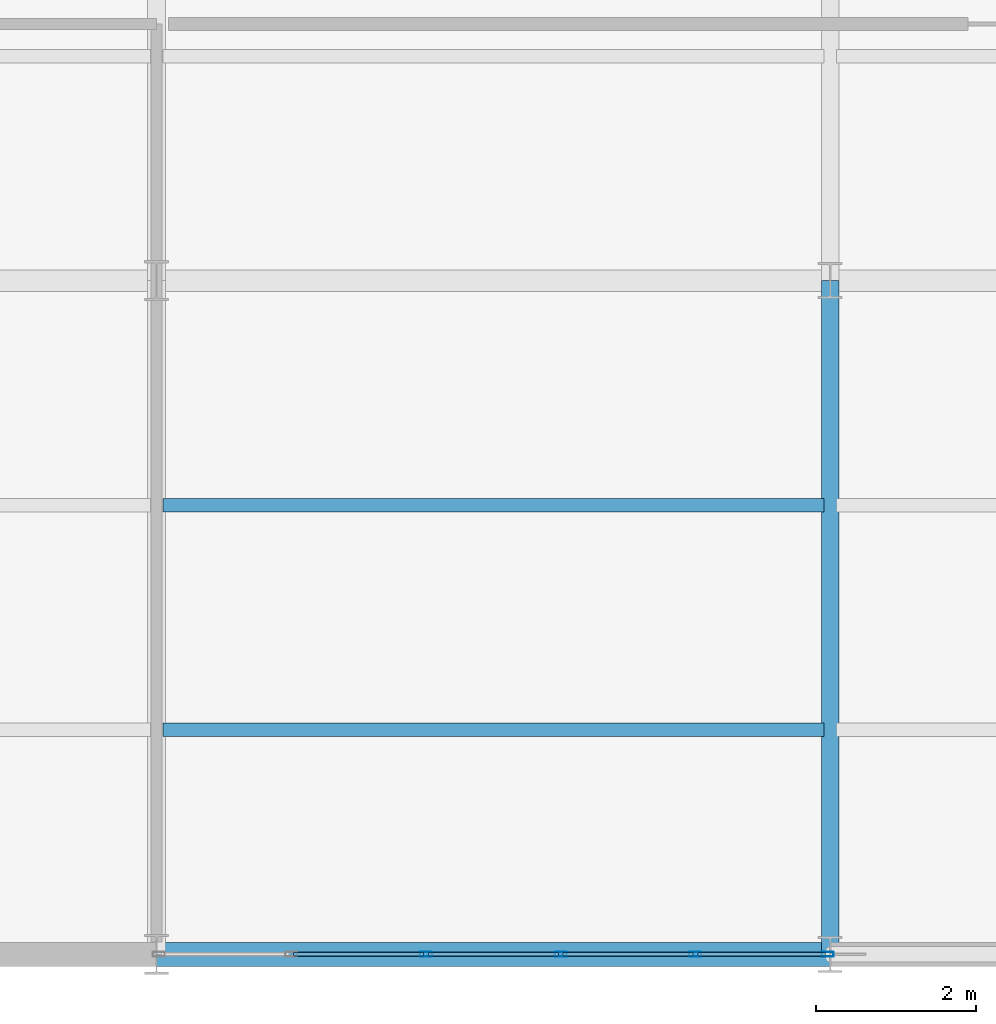
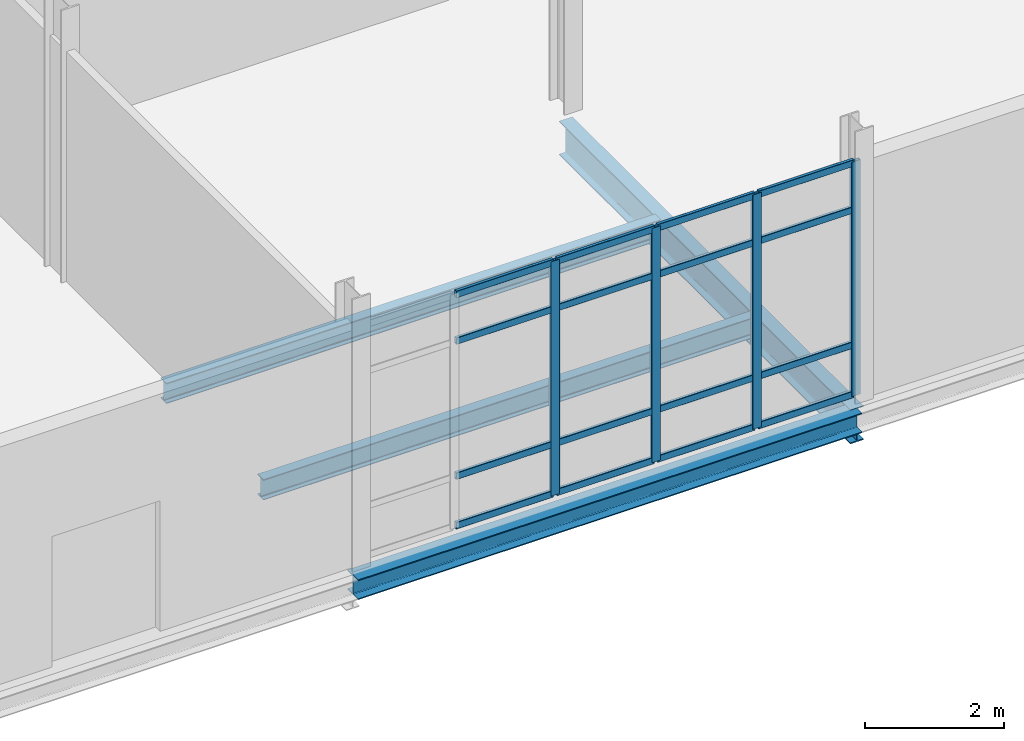
# One storey, part 94 of 145: 20 members, 4 beams, 1 element without a shape of its own.
"""IFC4 building model written with IfcOpenShell, lengths in metres."""

from ifc_helpers import new_model, si_unit, direction, frame, origin, origin_2d, place, context, subcontext, project, spatial, hollow_rectangle, i_section, extrude, material, layer, layer_set, material_profile, profile_set, type_object, element, aggregate, save


model = new_model("IFC4")

# Units and contexts
model_context = context("Model", 3, precision=1e-05, world=origin(), true_north=direction((0.0, 1.0)))
body_context = subcontext(model_context, "Body", "Model", "MODEL_VIEW")
ifc_project = project(units=[si_unit("LENGTHUNIT", "METRE"), si_unit("AREAUNIT", "SQUARE_METRE"), si_unit("VOLUMEUNIT", "CUBIC_METRE"), si_unit("PLANEANGLEUNIT", "RADIAN"), si_unit("MASSUNIT", "GRAM", prefix="KILO")], contexts=[model_context])

# Site, building, storey
site_placement = place(None, origin())
site = spatial("IfcSite", under=ifc_project, at=site_placement, CompositionType="ELEMENT")
building_placement = place(site_placement, origin())
building = spatial("IfcBuilding", under=site, at=building_placement, Name="Qalvenar Corner Mobility Hub", CompositionType="ELEMENT")
storey_placement = place(building_placement, origin())
storey = spatial("IfcBuildingStorey", under=building, at=storey_placement, Name="L00", CompositionType="ELEMENT", Elevation=0.0)

# Beams
ifc_material_1 = material(Name="Steel S355", Category="steel")
ifc_material_profile_1 = material_profile(ifc_material_1, i_section(OverallWidth=0.219970703125, OverallDepth=0.60009765625, WebThickness=0.011962890625, FlangeThickness=0.01904296875, FilletRadius=0.02392578125, at=origin_2d()), Name="IPE600")
ifc_profile_set_1 = profile_set([ifc_material_profile_1], Name="Steel S355")
beam_type_1 = type_object("IfcBeamType", Name="BM-IPE600", PredefinedType="BEAM", material=ifc_profile_set_1)
beam_1_placement = place(storey_placement, frame((142.800048828125, 0.0, -0.550048828125), z_axis=(0.0, 1.0, 0.0), x_axis=(-1.0, 0.0, 0.0)))
element("IfcBeam", 1, at=beam_1_placement, inside=storey, type_object=beam_type_1, Name="Primary Steel Girder GY-0317", PredefinedType="BEAM", context=body_context, shape_type="SweptSolid", body=[
    extrude(i_section(OverallWidth=0.219970703125, OverallDepth=0.60009765625, WebThickness=0.011962890625, FlangeThickness=0.01904296875, FilletRadius=0.02392578125, at=origin_2d()), origin(), (0.0, 0.0, 1.0), 8.39990234375),
])
ifc_material_profile_2 = material_profile(ifc_material_1, i_section(OverallWidth=0.169921875, OverallDepth=0.360107421875, WebThickness=0.008056640625, FlangeThickness=0.0126953125, FilletRadius=0.01806640625, at=origin_2d()), Name="IPE360")
ifc_profile_set_2 = profile_set([ifc_material_profile_2], Name="Steel S355")
beam_type_2 = type_object("IfcBeamType", Name="BM-JST360", PredefinedType="JOIST", material=ifc_profile_set_2)
for number, where, z_axis, x_axis, name in (
    (2, (134.47802734375, 2.800048828125, -0.429931640625), (1.0, 0.0, 0.0), (0.0, 1.0, 0.0), "Composite Floor Joist J-0375"),
    (3, (134.47802734375, 5.60009765625, -0.429931640625), (1.0, 0.0, 0.0), (0.0, 1.0, 0.0), "Composite Floor Joist J-0376"),
):
    element("IfcBeam", number, at=place(storey_placement, frame(where, z_axis=z_axis, x_axis=x_axis)), inside=storey, type_object=beam_type_2, Name=name, PredefinedType="JOIST", context=body_context, shape_type="SweptSolid", body=[
        extrude(i_section(OverallWidth=0.169921875, OverallDepth=0.360107421875, WebThickness=0.008056640625, FlangeThickness=0.0126953125, FilletRadius=0.01806640625, at=origin_2d()), origin(), (0.0, 0.0, 1.0), 8.243896484375),
    ])
ifc_material_profile_3 = material_profile(ifc_material_1, i_section(OverallWidth=0.300048828125, OverallDepth=0.35009765625, WebThickness=0.010009765625, FlangeThickness=0.017578125, FilletRadius=0.027099609375, at=origin_2d()), Name="HEA360")
ifc_profile_set_3 = profile_set([ifc_material_profile_3], Name="Steel S355")
beam_type_3 = type_object("IfcBeamType", Name="BM-SPN360", PredefinedType="SPANDREL", material=ifc_profile_set_3)
beam_2_placement = place(storey_placement, frame((134.39990234375, 0.0, -0.425048828125), z_axis=(1.0, 0.0, 0.0), x_axis=(0.0, 1.0, 0.0)))
element("IfcBeam", 4, at=beam_2_placement, inside=storey, type_object=beam_type_3, Name="Primary Steel Girder GX-0251", PredefinedType="SPANDREL", context=body_context, shape_type="SweptSolid", body=[
    extrude(i_section(OverallWidth=0.300048828125, OverallDepth=0.35009765625, WebThickness=0.010009765625, FlangeThickness=0.017578125, FilletRadius=0.027099609375, at=origin_2d()), origin(), (0.0, 0.0, 1.0), 8.400146484375),
])

# Curtain wall, members
ifc_material_2 = material(Name="Anodised Aluminium and Low-E Glazing", Category="aluminium")
ifc_layer = layer(ifc_material_2, 0.14990234375)
ifc_layer_set = layer_set([ifc_layer], Name="Anodised Aluminium and Low-E Glazing")
curtain_wall_type = type_object("IfcCurtainWallType", Name="CW-WKS-84X44", PredefinedType="NOTDEFINED", material=ifc_layer_set)
curtain_wall_placement = place(storey_placement, origin())
curtain_wall = element("IfcCurtainWall", 5, at=curtain_wall_placement, inside=storey, type_object=curtain_wall_type, Name="Glazed Curtain Wall CW-V6-L00-S3", PredefinedType="NOTDEFINED")
ifc_material_3 = material(Name="Anodised Aluminium 6063-T6", Category="aluminium")
ifc_material_profile_4 = material_profile(ifc_material_3, hollow_rectangle(XDim=0.06005859375, YDim=0.14990234375, WallThickness=0.00390625, InnerFilletRadius=0.00390625, OuterFilletRadius=0.008056640625, at=origin_2d()), Name="RHS150x60x4")
ifc_profile_set_4 = profile_set([ifc_material_profile_4], Name="Anodised Aluminium 6063-T6")
member_type_1 = type_object("IfcMemberType", Name="CW-MUL150", PredefinedType="MULLION", material=ifc_profile_set_4)
member_1_placement = place(storey_placement, frame((137.760009765625, 0.0, 0.0), z_axis=(0.0, 0.0, 1.0), x_axis=(0.0, 1.0, 0.0)))
member_1 = element("IfcMember", 6, at=member_1_placement, type_object=member_type_1, Name="CW-09 mullion 3", PredefinedType="MULLION", context=body_context, shape_type="SweptSolid", body=[
    extrude(hollow_rectangle(XDim=0.06005859375, YDim=0.14990234375, WallThickness=0.00390625, InnerFilletRadius=0.00390625, OuterFilletRadius=0.008056640625, at=origin_2d()), origin(), (0.0, 0.0, 1.0), 4.1298828125),
])
member_2_placement = place(storey_placement, frame((139.43994140625, 0.0, 0.0), z_axis=(0.0, 0.0, 1.0), x_axis=(0.0, 1.0, 0.0)))
member_2 = element("IfcMember", 7, at=member_2_placement, type_object=member_type_1, Name="CW-09 mullion 4", PredefinedType="MULLION", context=body_context, shape_type="SweptSolid", body=[
    extrude(hollow_rectangle(XDim=0.06005859375, YDim=0.14990234375, WallThickness=0.00390625, InnerFilletRadius=0.00390625, OuterFilletRadius=0.008056640625, at=origin_2d()), origin(), (0.0, 0.0, 1.0), 4.1298828125),
])
member_3_placement = place(storey_placement, frame((141.1201171875, 0.0, 0.0), z_axis=(0.0, 0.0, 1.0), x_axis=(0.0, 1.0, 0.0)))
member_3 = element("IfcMember", 8, at=member_3_placement, type_object=member_type_1, Name="CW-09 mullion 5", PredefinedType="MULLION", context=body_context, shape_type="SweptSolid", body=[
    extrude(hollow_rectangle(XDim=0.06005859375, YDim=0.14990234375, WallThickness=0.00390625, InnerFilletRadius=0.00390625, OuterFilletRadius=0.008056640625, at=origin_2d()), origin(), (0.0, 0.0, 1.0), 4.1298828125),
])
member_4_placement = place(storey_placement, frame((142.77001953125, 0.0, 0.0), z_axis=(0.0, 0.0, 1.0), x_axis=(0.0, 1.0, 0.0)))
member_4 = element("IfcMember", 9, at=member_4_placement, type_object=member_type_1, Name="CW-09 mullion 6", PredefinedType="MULLION", context=body_context, shape_type="SweptSolid", body=[
    extrude(hollow_rectangle(XDim=0.06005859375, YDim=0.14990234375, WallThickness=0.00390625, InnerFilletRadius=0.00390625, OuterFilletRadius=0.008056640625, at=origin_2d()), origin(), (0.0, 0.0, 1.0), 4.1298828125),
])
ifc_material_profile_5 = material_profile(ifc_material_3, hollow_rectangle(XDim=0.054931640625, YDim=0.1201171875, WallThickness=0.00341796875, InnerFilletRadius=0.00341796875, OuterFilletRadius=0.007080078125, at=origin_2d()), Name="RHS120x55x3.5")
ifc_profile_set_5 = profile_set([ifc_material_profile_5], Name="Anodised Aluminium 6063-T6")
member_type_2 = type_object("IfcMemberType", Name="CW-TRN120", PredefinedType="USERDEFINED", material=ifc_profile_set_5)
member_5_placement = place(storey_placement, frame((136.110107421875, 0.0, 0.027587890625), z_axis=(1.0, 0.0, 0.0), x_axis=(0.0, 1.0, 0.0)))
member_5 = element("IfcMember", 10, at=member_5_placement, type_object=member_type_2, Name="CW-09 transom 2.1", ObjectType="TRANSOM", PredefinedType="USERDEFINED", context=body_context, shape_type="SweptSolid", body=[
    extrude(hollow_rectangle(XDim=0.054931640625, YDim=0.1201171875, WallThickness=0.00341796875, InnerFilletRadius=0.00341796875, OuterFilletRadius=0.007080078125, at=origin_2d()), origin(), (0.0, 0.0, 1.0), 1.619873046875),
])
member_6_placement = place(storey_placement, frame((136.110107421875, 0.0, 0.89990234375), z_axis=(1.0, 0.0, 0.0), x_axis=(0.0, 1.0, 0.0)))
member_6 = element("IfcMember", 11, at=member_6_placement, type_object=member_type_2, Name="CW-09 transom 2.2", ObjectType="TRANSOM", PredefinedType="USERDEFINED", context=body_context, shape_type="SweptSolid", body=[
    extrude(hollow_rectangle(XDim=0.054931640625, YDim=0.1201171875, WallThickness=0.00341796875, InnerFilletRadius=0.00341796875, OuterFilletRadius=0.007080078125, at=origin_2d()), origin(), (0.0, 0.0, 1.0), 1.619873046875),
])
member_7_placement = place(storey_placement, frame((136.110107421875, 0.0, 3.280029296875), z_axis=(1.0, 0.0, 0.0), x_axis=(0.0, 1.0, 0.0)))
member_7 = element("IfcMember", 12, at=member_7_placement, type_object=member_type_2, Name="CW-09 transom 2.3", ObjectType="TRANSOM", PredefinedType="USERDEFINED", context=body_context, shape_type="SweptSolid", body=[
    extrude(hollow_rectangle(XDim=0.054931640625, YDim=0.1201171875, WallThickness=0.00341796875, InnerFilletRadius=0.00341796875, OuterFilletRadius=0.007080078125, at=origin_2d()), origin(), (0.0, 0.0, 1.0), 1.619873046875),
])
member_8_placement = place(storey_placement, frame((136.110107421875, 0.0, 4.1025390625), z_axis=(1.0, 0.0, 0.0), x_axis=(0.0, 1.0, 0.0)))
member_8 = element("IfcMember", 13, at=member_8_placement, type_object=member_type_2, Name="CW-09 transom 2.4", ObjectType="TRANSOM", PredefinedType="USERDEFINED", context=body_context, shape_type="SweptSolid", body=[
    extrude(hollow_rectangle(XDim=0.054931640625, YDim=0.1201171875, WallThickness=0.00341796875, InnerFilletRadius=0.00341796875, OuterFilletRadius=0.007080078125, at=origin_2d()), origin(), (0.0, 0.0, 1.0), 1.619873046875),
])
member_9_placement = place(storey_placement, frame((137.7900390625, 0.0, 0.027587890625), z_axis=(1.0, 0.0, 0.0), x_axis=(0.0, 1.0, 0.0)))
member_9 = element("IfcMember", 14, at=member_9_placement, type_object=member_type_2, Name="CW-09 transom 3.1", ObjectType="TRANSOM", PredefinedType="USERDEFINED", context=body_context, shape_type="SweptSolid", body=[
    extrude(hollow_rectangle(XDim=0.054931640625, YDim=0.1201171875, WallThickness=0.00341796875, InnerFilletRadius=0.00341796875, OuterFilletRadius=0.007080078125, at=origin_2d()), origin(), (0.0, 0.0, 1.0), 1.619873046875),
])
member_10_placement = place(storey_placement, frame((137.7900390625, 0.0, 0.89990234375), z_axis=(1.0, 0.0, 0.0), x_axis=(0.0, 1.0, 0.0)))
member_10 = element("IfcMember", 15, at=member_10_placement, type_object=member_type_2, Name="CW-09 transom 3.2", ObjectType="TRANSOM", PredefinedType="USERDEFINED", context=body_context, shape_type="SweptSolid", body=[
    extrude(hollow_rectangle(XDim=0.054931640625, YDim=0.1201171875, WallThickness=0.00341796875, InnerFilletRadius=0.00341796875, OuterFilletRadius=0.007080078125, at=origin_2d()), origin(), (0.0, 0.0, 1.0), 1.619873046875),
])
member_11_placement = place(storey_placement, frame((137.7900390625, 0.0, 3.280029296875), z_axis=(1.0, 0.0, 0.0), x_axis=(0.0, 1.0, 0.0)))
member_11 = element("IfcMember", 16, at=member_11_placement, type_object=member_type_2, Name="CW-09 transom 3.3", ObjectType="TRANSOM", PredefinedType="USERDEFINED", context=body_context, shape_type="SweptSolid", body=[
    extrude(hollow_rectangle(XDim=0.054931640625, YDim=0.1201171875, WallThickness=0.00341796875, InnerFilletRadius=0.00341796875, OuterFilletRadius=0.007080078125, at=origin_2d()), origin(), (0.0, 0.0, 1.0), 1.619873046875),
])
member_12_placement = place(storey_placement, frame((137.7900390625, 0.0, 4.1025390625), z_axis=(1.0, 0.0, 0.0), x_axis=(0.0, 1.0, 0.0)))
member_12 = element("IfcMember", 17, at=member_12_placement, type_object=member_type_2, Name="CW-09 transom 3.4", ObjectType="TRANSOM", PredefinedType="USERDEFINED", context=body_context, shape_type="SweptSolid", body=[
    extrude(hollow_rectangle(XDim=0.054931640625, YDim=0.1201171875, WallThickness=0.00341796875, InnerFilletRadius=0.00341796875, OuterFilletRadius=0.007080078125, at=origin_2d()), origin(), (0.0, 0.0, 1.0), 1.619873046875),
])
member_13_placement = place(storey_placement, frame((139.469970703125, 0.0, 0.027587890625), z_axis=(1.0, 0.0, 0.0), x_axis=(0.0, 1.0, 0.0)))
member_13 = element("IfcMember", 18, at=member_13_placement, type_object=member_type_2, Name="CW-09 transom 4.1", ObjectType="TRANSOM", PredefinedType="USERDEFINED", context=body_context, shape_type="SweptSolid", body=[
    extrude(hollow_rectangle(XDim=0.054931640625, YDim=0.1201171875, WallThickness=0.00341796875, InnerFilletRadius=0.00341796875, OuterFilletRadius=0.007080078125, at=origin_2d()), origin(), (0.0, 0.0, 1.0), 1.6201171875),
])
member_14_placement = place(storey_placement, frame((139.469970703125, 0.0, 0.89990234375), z_axis=(1.0, 0.0, 0.0), x_axis=(0.0, 1.0, 0.0)))
member_14 = element("IfcMember", 19, at=member_14_placement, type_object=member_type_2, Name="CW-09 transom 4.2", ObjectType="TRANSOM", PredefinedType="USERDEFINED", context=body_context, shape_type="SweptSolid", body=[
    extrude(hollow_rectangle(XDim=0.054931640625, YDim=0.1201171875, WallThickness=0.00341796875, InnerFilletRadius=0.00341796875, OuterFilletRadius=0.007080078125, at=origin_2d()), origin(), (0.0, 0.0, 1.0), 1.6201171875),
])
member_15_placement = place(storey_placement, frame((139.469970703125, 0.0, 3.280029296875), z_axis=(1.0, 0.0, 0.0), x_axis=(0.0, 1.0, 0.0)))
member_15 = element("IfcMember", 20, at=member_15_placement, type_object=member_type_2, Name="CW-09 transom 4.3", ObjectType="TRANSOM", PredefinedType="USERDEFINED", context=body_context, shape_type="SweptSolid", body=[
    extrude(hollow_rectangle(XDim=0.054931640625, YDim=0.1201171875, WallThickness=0.00341796875, InnerFilletRadius=0.00341796875, OuterFilletRadius=0.007080078125, at=origin_2d()), origin(), (0.0, 0.0, 1.0), 1.6201171875),
])
member_16_placement = place(storey_placement, frame((139.469970703125, 0.0, 4.1025390625), z_axis=(1.0, 0.0, 0.0), x_axis=(0.0, 1.0, 0.0)))
member_16 = element("IfcMember", 21, at=member_16_placement, type_object=member_type_2, Name="CW-09 transom 4.4", ObjectType="TRANSOM", PredefinedType="USERDEFINED", context=body_context, shape_type="SweptSolid", body=[
    extrude(hollow_rectangle(XDim=0.054931640625, YDim=0.1201171875, WallThickness=0.00341796875, InnerFilletRadius=0.00341796875, OuterFilletRadius=0.007080078125, at=origin_2d()), origin(), (0.0, 0.0, 1.0), 1.6201171875),
])
member_17_placement = place(storey_placement, frame((141.14990234375, 0.0, 0.027587890625), z_axis=(1.0, 0.0, 0.0), x_axis=(0.0, 1.0, 0.0)))
member_17 = element("IfcMember", 22, at=member_17_placement, type_object=member_type_2, Name="CW-09 transom 5.1", ObjectType="TRANSOM", PredefinedType="USERDEFINED", context=body_context, shape_type="SweptSolid", body=[
    extrude(hollow_rectangle(XDim=0.054931640625, YDim=0.1201171875, WallThickness=0.00341796875, InnerFilletRadius=0.00341796875, OuterFilletRadius=0.007080078125, at=origin_2d()), origin(), (0.0, 0.0, 1.0), 1.590087890625),
])
member_18_placement = place(storey_placement, frame((141.14990234375, 0.0, 0.89990234375), z_axis=(1.0, 0.0, 0.0), x_axis=(0.0, 1.0, 0.0)))
member_18 = element("IfcMember", 23, at=member_18_placement, type_object=member_type_2, Name="CW-09 transom 5.2", ObjectType="TRANSOM", PredefinedType="USERDEFINED", context=body_context, shape_type="SweptSolid", body=[
    extrude(hollow_rectangle(XDim=0.054931640625, YDim=0.1201171875, WallThickness=0.00341796875, InnerFilletRadius=0.00341796875, OuterFilletRadius=0.007080078125, at=origin_2d()), origin(), (0.0, 0.0, 1.0), 1.590087890625),
])
member_19_placement = place(storey_placement, frame((141.14990234375, 0.0, 3.280029296875), z_axis=(1.0, 0.0, 0.0), x_axis=(0.0, 1.0, 0.0)))
member_19 = element("IfcMember", 24, at=member_19_placement, type_object=member_type_2, Name="CW-09 transom 5.3", ObjectType="TRANSOM", PredefinedType="USERDEFINED", context=body_context, shape_type="SweptSolid", body=[
    extrude(hollow_rectangle(XDim=0.054931640625, YDim=0.1201171875, WallThickness=0.00341796875, InnerFilletRadius=0.00341796875, OuterFilletRadius=0.007080078125, at=origin_2d()), origin(), (0.0, 0.0, 1.0), 1.590087890625),
])
member_20_placement = place(storey_placement, frame((141.14990234375, 0.0, 4.1025390625), z_axis=(1.0, 0.0, 0.0), x_axis=(0.0, 1.0, 0.0)))
member_20 = element("IfcMember", 25, at=member_20_placement, type_object=member_type_2, Name="CW-09 transom 5.4", ObjectType="TRANSOM", PredefinedType="USERDEFINED", context=body_context, shape_type="SweptSolid", body=[
    extrude(hollow_rectangle(XDim=0.054931640625, YDim=0.1201171875, WallThickness=0.00341796875, InnerFilletRadius=0.00341796875, OuterFilletRadius=0.007080078125, at=origin_2d()), origin(), (0.0, 0.0, 1.0), 1.590087890625),
])
aggregate(curtain_wall, [member_1, member_2, member_3, member_4, member_5, member_6, member_7, member_8, member_9, member_10, member_11, member_12, member_13, member_14, member_15, member_16, member_17, member_18, member_19, member_20])

save(model, "model.ifc")
